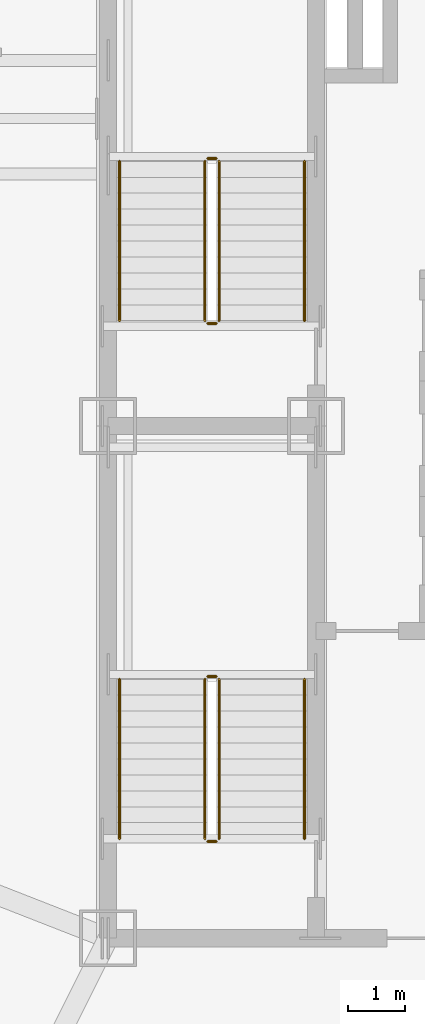
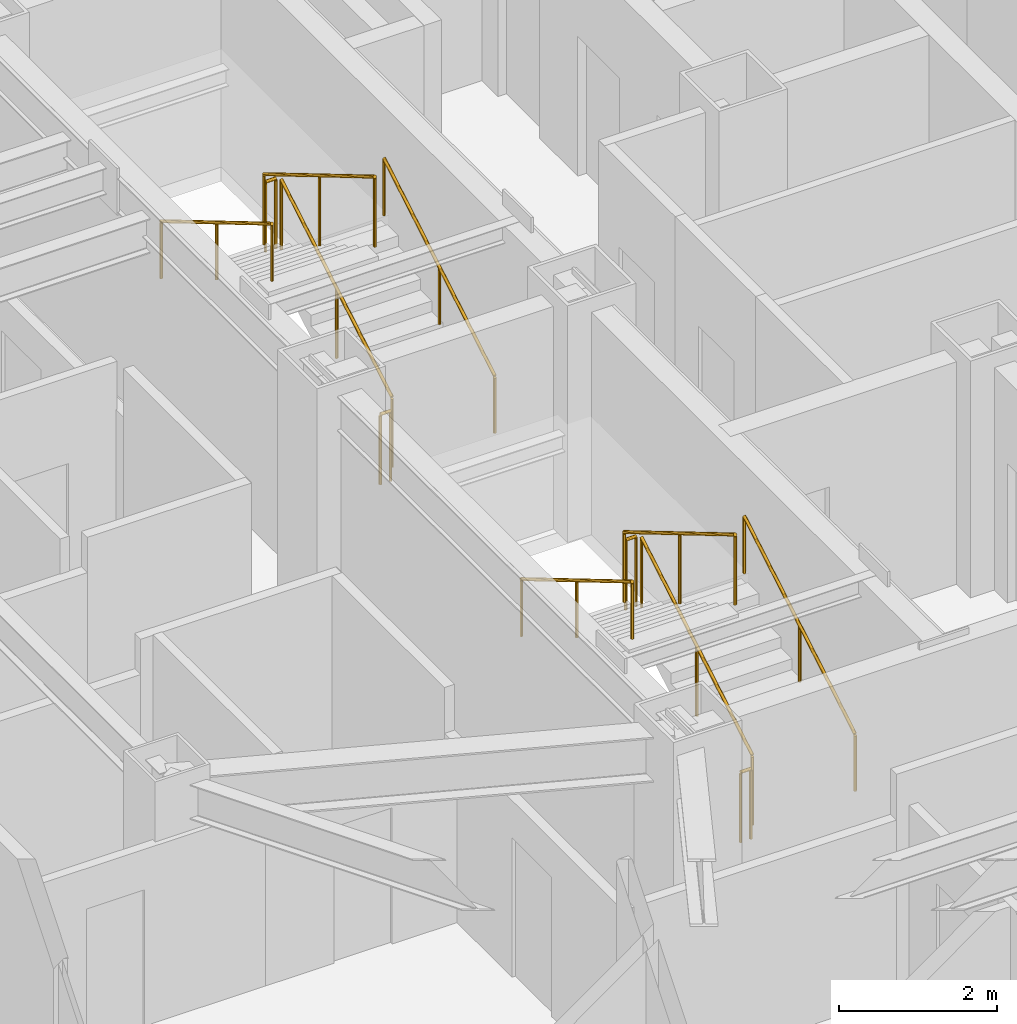
# One storey, part 9 of 9: 12 railings.
"""IFC4 building model written with IfcOpenShell, lengths in metres."""

import ifcopenshell
import ifcopenshell.guid

model = None  # the IFC model being written
_history = None  # IfcOwnerHistory: only IFC2X3 demands one
_inside = {}  # id of a spatial element -> (the spatial element, [elements in it])
_under = {}  # id of a project, library or spatial element -> (it, [spatial elements below it])
_declared = {}  # id of a project -> (the project, [libraries it declares])
_typed = {}  # id of a type object -> (the type object, [elements of that type])
_made_of = {}  # id of a material, layer set ... -> (it, [elements and type objects made of it])


def new_model(schema):
    """Start an empty IFC model of exactly this schema.

    Asked for "IFC4X3", IfcOpenShell would pick the latest addendum, in which some entities
    have other attributes; the version numbers below select the first issue.
    IFC2X3 requires an IfcOwnerHistory on every rooted entity: one is made here for all.
    """
    global model, _history
    if schema == "IFC4X3":
        model = ifcopenshell.file(schema_version=(4, 3, 0, 0))
    else:
        model = ifcopenshell.file(schema=schema)
    _inside.clear()
    _under.clear()
    _declared.clear()
    _typed.clear()
    _made_of.clear()
    _history = None
    if model.schema == "IFC2X3":
        org = make("IfcOrganization", Name="unknown")
        user = make(
            "IfcPersonAndOrganization",
            ThePerson=make("IfcPerson", FamilyName="unknown"),
            TheOrganization=org,
        )
        app = make(
            "IfcApplication",
            ApplicationDeveloper=org,
            Version="unknown",
            ApplicationFullName="unknown",
            ApplicationIdentifier="unknown",
        )
        _history = make(
            "IfcOwnerHistory",
            OwningUser=user,
            OwningApplication=app,
            ChangeAction="ADDED",
            CreationDate=0,
        )
    return model


def make(cls, **values):
    """One entity of the class cls with the attributes given. An attribute that is None is left unset."""
    return model.create_entity(
        cls, **{name: value for name, value in values.items() if value is not None}
    )


def rooted(cls, **values):
    """An entity with a GlobalId (a new one), such as an element, a storey or a relation."""
    return make(cls, GlobalId=ifcopenshell.guid.new(), OwnerHistory=_history, **values)


def si_unit(unit_type, name, prefix=None):
    """IfcSIUnit, for example si_unit("LENGTHUNIT", "METRE", prefix="MILLI")."""
    return make("IfcSIUnit", UnitType=unit_type, Prefix=prefix, Name=name)


def assignment(units):
    """IfcUnitAssignment: the units of a project."""
    return None if units is None else make("IfcUnitAssignment", Units=units)


def point(xyz):
    """IfcCartesianPoint."""
    return None if xyz is None else make("IfcCartesianPoint", Coordinates=xyz)


def direction(xyz):
    """IfcDirection."""
    return None if xyz is None else make("IfcDirection", DirectionRatios=xyz)


def frame(location, z_axis=None, x_axis=None):
    """IfcAxis2Placement3D, a coordinate frame: its origin and axes. An axis left out is left unset."""
    return make(
        "IfcAxis2Placement3D",
        Location=point(location),
        Axis=direction(z_axis),
        RefDirection=direction(x_axis),
    )


def frame_2d(location, x_axis=None):
    """IfcAxis2Placement2D, a coordinate frame in the plane: its origin and x axis."""
    return make(
        "IfcAxis2Placement2D", Location=point(location), RefDirection=direction(x_axis)
    )


def origin():
    """The frame at (0, 0, 0) with its axes left unset."""
    return frame((0.0, 0.0, 0.0))


def origin_2d():
    """The frame at (0, 0) in the plane with its x axis left unset."""
    return frame_2d((0.0, 0.0))


def place(relative_to, where):
    """IfcLocalPlacement: puts the frame where relative to a parent placement (None: the world)."""
    return make(
        "IfcLocalPlacement", PlacementRelTo=relative_to, RelativePlacement=where
    )


def context(
    kind, dimensions, precision=None, world=None, true_north=None, identifier=None
):
    """IfcGeometricRepresentationContext, for example the 3D "Model" context."""
    return make(
        "IfcGeometricRepresentationContext",
        ContextIdentifier=identifier,
        ContextType=kind,
        CoordinateSpaceDimension=dimensions,
        Precision=precision,
        WorldCoordinateSystem=world,
        TrueNorth=true_north,
    )


def subcontext(parent, identifier, kind, view, scale=None):
    """IfcGeometricRepresentationSubContext, for example "Body" below "Model"."""
    return make(
        "IfcGeometricRepresentationSubContext",
        ContextIdentifier=identifier,
        ContextType=kind,
        ParentContext=parent,
        TargetScale=scale,
        TargetView=view,
    )


def project(units=None, contexts=None):
    """IfcProject with its units and contexts."""
    return rooted(
        "IfcProject",
        Name="project",
        RepresentationContexts=contexts,
        UnitsInContext=assignment(units),
    )


def spatial(cls, under=None, at=None, **own):
    """A site, building, storey or space (cls), placed at a placement, below another one or the project."""
    s = rooted(cls, ObjectPlacement=at, **own)
    if under is not None:
        _under.setdefault(under.id(), (under, []))[1].append(s)
    return s


def profile(cls, at=None, kind="AREA", **sizes):
    """A parametric profile (cls). Its sizes go by their IFC names, for example OverallWidth=200.0."""
    return make(cls, ProfileType=kind, Position=at, **sizes)


def circle(**sizes):
    """IfcCircleProfileDef."""
    return profile("IfcCircleProfileDef", **sizes)


def extrude(swept, where, along, depth):
    """IfcExtrudedAreaSolid: the profile swept, set in the frame where, extruded along a direction by depth."""
    return make(
        "IfcExtrudedAreaSolid",
        SweptArea=swept,
        Position=where,
        ExtrudedDirection=direction(along),
        Depth=depth,
    )


def shape(context_of_items, identifier, shape_type, items):
    """IfcShapeRepresentation: the items that make up one representation, for example the "Body"."""
    return make(
        "IfcShapeRepresentation",
        ContextOfItems=context_of_items,
        RepresentationIdentifier=identifier,
        RepresentationType=shape_type,
        Items=items,
    )


def material(Name=None, Category=None):
    """IfcMaterial."""
    return make("IfcMaterial", Name=Name, Category=Category)


def made_of(thing, what):
    """Note that an element or type object is made of a material, layer set ...; save() writes the relation."""
    if what is not None:
        _made_of.setdefault(what.id(), (what, []))[1].append(thing)
    return thing


def type_object(cls, material=None, **own):
    """A type object (cls), such as IfcWallType, which elements share."""
    return made_of(rooted(cls, **own), material)


def element(
    cls,
    number,
    at=None,
    inside=None,
    cuts=None,
    type_object=None,
    material=None,
    context=None,
    identifier="Body",
    shape_type=None,
    held_by="IfcProductDefinitionShape",
    body=None,
    shapes=None,
    **own,
):
    """One element of the class cls, such as IfcWall. Its Tag is "e" and its number.

    at: its placement. inside: the storey or other place that contains it. cuts: it is an
    opening in that element (IfcRelVoidsElement). A single representation is given by context,
    identifier, shape_type and body (its items); several are given by shapes. held_by: the class
    of the entity that holds the representations. save() writes the other relations.
    """
    e = rooted(cls, Tag="e%d" % number, ObjectPlacement=at, **own)
    if body is not None:
        shapes = [shape(context, identifier, shape_type, body)]
    if shapes is not None:
        e.Representation = make(held_by, Representations=shapes)
    if inside is not None:
        _inside.setdefault(inside.id(), (inside, []))[1].append(e)
    if cuts is not None:
        rooted(
            "IfcRelVoidsElement", RelatingBuildingElement=cuts, RelatedOpeningElement=e
        )
    if type_object is not None:
        _typed.setdefault(type_object.id(), (type_object, []))[1].append(e)
    return made_of(e, material)


def aggregate(whole, parts):
    """IfcRelAggregates: a whole, such as a stair, and the parts it consists of."""
    return rooted("IfcRelAggregates", RelatingObject=whole, RelatedObjects=parts)


def save(model, path):
    """Write the relations noted so far, then the file.

    IfcRelAggregates (storeys below a building ...), IfcRelContainedInSpatialStructure (elements
    in a storey), IfcRelDefinesByType, IfcRelAssociatesMaterial and IfcRelDeclares: one each for
    every whole, place, type object, material and project.
    """
    for whole, parts in _under.values():
        aggregate(whole, parts)
    for where, things in _inside.values():
        rooted(
            "IfcRelContainedInSpatialStructure",
            RelatedElements=things,
            RelatingStructure=where,
        )
    for kind, things in _typed.values():
        rooted("IfcRelDefinesByType", RelatedObjects=things, RelatingType=kind)
    for what, things in _made_of.values():
        rooted("IfcRelAssociatesMaterial", RelatedObjects=things, RelatingMaterial=what)
    for by, libraries in _declared.values():
        rooted("IfcRelDeclares", RelatingContext=by, RelatedDefinitions=libraries)
    model.write(path)


model = new_model("IFC4")

# Units and contexts
model_context = context("Model", 3, precision=1e-05, world=origin(), true_north=direction((0.0, 1.0)))
body_context = subcontext(model_context, "Body", "Model", "MODEL_VIEW")
ifc_project = project(units=[si_unit("LENGTHUNIT", "METRE"), si_unit("AREAUNIT", "SQUARE_METRE"), si_unit("VOLUMEUNIT", "CUBIC_METRE"), si_unit("PLANEANGLEUNIT", "RADIAN"), si_unit("MASSUNIT", "GRAM", prefix="KILO")], contexts=[model_context])

# Site, building, storey
site_placement = place(None, origin())
site = spatial("IfcSite", under=ifc_project, at=site_placement, CompositionType="ELEMENT")
building_placement = place(site_placement, origin())
building = spatial("IfcBuilding", under=site, at=building_placement, Name="Khamvora Tower", CompositionType="ELEMENT")
storey_placement = place(building_placement, frame((0.0, 0.0, 235.449951171875)))
storey = spatial("IfcBuildingStorey", under=building, at=storey_placement, Name="L60", CompositionType="ELEMENT", Elevation=235.449951171875)

# Railings
ifc_material_1 = material(Name="Brushed Stainless Steel 316", Category="steel")
railing_type_1 = type_object("IfcRailingType", Name="RAL-HDR-920", PredefinedType="HANDRAIL", material=ifc_material_1)
railing_1_placement = place(storey_placement, frame((32.449951171875, 20.75, 0.166015625)))
element("IfcRailing", 1, at=railing_1_placement, inside=storey, type_object=railing_type_1, Name="L60 ST-01 stair handrail 1", PredefinedType="HANDRAIL", context=body_context, shape_type="SweptSolid", body=[
    extrude(circle(Radius=0.02392578125, at=origin_2d()), frame((0.0, 0.0, 0.8759765625), z_axis=(0.0, 0.860339051648, 0.50972219513), x_axis=(-1.0, 0.0, 0.0)), (0.0, 0.0, 1.0), 3.254638671875),
    extrude(circle(Radius=0.02099609375, at=origin_2d()), origin(), (0.0, 0.0, 1.0), 0.851806640625),
    extrude(circle(Radius=0.02099609375, at=origin_2d()), frame((0.0, 1.39990234375, 0.82958984375)), (0.0, 0.0, 1.0), 0.851806640625),
    extrude(circle(Radius=0.02099609375, at=origin_2d()), frame((0.0, 2.800048828125, 1.658935546875)), (0.0, 0.0, 1.0), 0.851806640625),
])
railing_2_placement = place(storey_placement, frame((29.199951171875, 23.550048828125, 1.990966796875)))
element("IfcRailing", 2, at=railing_2_placement, inside=storey, type_object=railing_type_1, Name="L60 ST-01 stair handrail 2", PredefinedType="HANDRAIL", context=body_context, shape_type="SweptSolid", body=[
    extrude(circle(Radius=0.02392578125, at=origin_2d()), frame((0.0, 0.0, 0.8759765625), z_axis=(0.0, -0.860306154799, 0.50977771628), x_axis=(1.0, 0.0, 0.0)), (0.0, 0.0, 1.0), 3.254638671875),
    extrude(circle(Radius=0.02099609375, at=origin_2d()), origin(), (0.0, 0.0, 1.0), 0.851806640625),
    extrude(circle(Radius=0.02099609375, at=origin_2d()), frame((0.0, -1.39990234375, 0.82958984375)), (0.0, 0.0, 1.0), 0.851806640625),
    extrude(circle(Radius=0.02099609375, at=origin_2d()), frame((0.0, -2.800048828125, 1.6591796875)), (0.0, 0.0, 1.0), 0.851806640625),
])
railing_3_placement = place(storey_placement, frame((32.449951171875, 29.85009765625, 0.166015625)))
element("IfcRailing", 3, at=railing_3_placement, inside=storey, type_object=railing_type_1, Name="L60 ST-02 stair handrail 1", PredefinedType="HANDRAIL", context=body_context, shape_type="SweptSolid", body=[
    extrude(circle(Radius=0.02392578125, at=origin_2d()), frame((0.0, 0.0, 0.8759765625), z_axis=(0.0, 0.860319559791, 0.509755093197), x_axis=(-1.0, 0.0, 0.0)), (0.0, 0.0, 1.0), 3.25439453125),
    extrude(circle(Radius=0.02099609375, at=origin_2d()), origin(), (0.0, 0.0, 1.0), 0.851806640625),
    extrude(circle(Radius=0.02099609375, at=origin_2d()), frame((0.0, 1.39990234375, 0.82958984375)), (0.0, 0.0, 1.0), 0.851806640625),
    extrude(circle(Radius=0.02099609375, at=origin_2d()), frame((0.0, 2.7998046875, 1.658935546875)), (0.0, 0.0, 1.0), 0.851806640625),
])
railing_4_placement = place(storey_placement, frame((29.199951171875, 32.64990234375, 1.990966796875)))
element("IfcRailing", 4, at=railing_4_placement, inside=storey, type_object=railing_type_1, Name="L60 ST-02 stair handrail 2", PredefinedType="HANDRAIL", context=body_context, shape_type="SweptSolid", body=[
    extrude(circle(Radius=0.02392578125, at=origin_2d()), frame((0.0, 0.0, 0.8759765625), z_axis=(0.0, -0.860286659441, 0.509810615413), x_axis=(1.0, 0.0, 0.0)), (0.0, 0.0, 1.0), 3.25439453125),
    extrude(circle(Radius=0.02099609375, at=origin_2d()), origin(), (0.0, 0.0, 1.0), 0.851806640625),
    extrude(circle(Radius=0.02099609375, at=origin_2d()), frame((0.0, -1.39990234375, 0.82958984375)), (0.0, 0.0, 1.0), 0.851806640625),
    extrude(circle(Radius=0.02099609375, at=origin_2d()), frame((0.0, -2.7998046875, 1.6591796875)), (0.0, 0.0, 1.0), 0.851806640625),
])
ifc_material_2 = material(Name="Stainless Steel 316", Category="steel")
railing_type_2 = type_object("IfcRailingType", Name="RAL-STG-1100", PredefinedType="GUARDRAIL", material=ifc_material_2)
railing_5_placement = place(storey_placement, frame((30.949951171875, 20.75, 0.166015625)))
element("IfcRailing", 5, at=railing_5_placement, inside=storey, type_object=railing_type_2, Name="L60 ST-01 stair guard 1", PredefinedType="GUARDRAIL", context=body_context, shape_type="SweptSolid", body=[
    extrude(circle(Radius=0.02392578125, at=origin_2d()), frame((0.0, 0.0, 1.076171875), z_axis=(0.0, 0.860339051648, 0.50972219513), x_axis=(-1.0, 0.0, 0.0)), (0.0, 0.0, 1.0), 3.254638671875),
    extrude(circle(Radius=0.02099609375, at=origin_2d()), origin(), (0.0, 0.0, 1.0), 1.052001953125),
    extrude(circle(Radius=0.02099609375, at=origin_2d()), frame((0.0, 1.39990234375, 0.82958984375)), (0.0, 0.0, 1.0), 1.052001953125),
    extrude(circle(Radius=0.02099609375, at=origin_2d()), frame((0.0, 2.800048828125, 1.658935546875)), (0.0, 0.0, 1.0), 1.052001953125),
])
railing_6_placement = place(storey_placement, frame((30.89990234375, 23.60009765625, 1.824951171875)))
element("IfcRailing", 6, at=railing_6_placement, inside=storey, type_object=railing_type_2, Name="L60 ST-01 stair guard 2", PredefinedType="GUARDRAIL", context=body_context, shape_type="SweptSolid", body=[
    extrude(circle(Radius=0.02392578125, at=origin_2d()), frame((0.0, 0.0, 1.076171875), z_axis=(-1.0, 0.0, 0.0), x_axis=(0.0, -1.0, 0.0)), (0.0, 0.0, 1.0), 0.14990234375),
    extrude(circle(Radius=0.02099609375, at=origin_2d()), origin(), (0.0, 0.0, 1.0), 1.052001953125),
    extrude(circle(Radius=0.02099609375, at=origin_2d()), frame((-0.14990234375, 0.0, 0.0)), (0.0, 0.0, 1.0), 1.052001953125),
])
railing_7_placement = place(storey_placement, frame((30.699951171875, 23.550048828125, 1.990966796875)))
element("IfcRailing", 7, at=railing_7_placement, inside=storey, type_object=railing_type_2, Name="L60 ST-01 stair guard 3", PredefinedType="GUARDRAIL", context=body_context, shape_type="SweptSolid", body=[
    extrude(circle(Radius=0.02392578125, at=origin_2d()), frame((0.0, 0.0, 1.076171875), z_axis=(0.0, -0.860306154799, 0.50977771628), x_axis=(1.0, 0.0, 0.0)), (0.0, 0.0, 1.0), 3.254638671875),
    extrude(circle(Radius=0.02099609375, at=origin_2d()), origin(), (0.0, 0.0, 1.0), 1.052001953125),
    extrude(circle(Radius=0.02099609375, at=origin_2d()), frame((0.0, -1.39990234375, 0.82958984375)), (0.0, 0.0, 1.0), 1.052001953125),
    extrude(circle(Radius=0.02099609375, at=origin_2d()), frame((0.0, -2.800048828125, 1.6591796875)), (0.0, 0.0, 1.0), 1.052001953125),
])
railing_8_placement = place(storey_placement, frame((30.89990234375, 20.699951171875, 0.0)))
element("IfcRailing", 8, at=railing_8_placement, inside=storey, type_object=railing_type_2, Name="L60 ST-01 stair guard 4", PredefinedType="GUARDRAIL", context=body_context, shape_type="SweptSolid", body=[
    extrude(circle(Radius=0.02392578125, at=origin_2d()), frame((0.0, 0.0, 1.076171875), z_axis=(-1.0, 0.0, 0.0), x_axis=(0.0, -1.0, 0.0)), (0.0, 0.0, 1.0), 0.14990234375),
    extrude(circle(Radius=0.02099609375, at=origin_2d()), origin(), (0.0, 0.0, 1.0), 1.052001953125),
    extrude(circle(Radius=0.02099609375, at=origin_2d()), frame((-0.14990234375, 0.0, 0.0)), (0.0, 0.0, 1.0), 1.052001953125),
])
railing_9_placement = place(storey_placement, frame((30.949951171875, 29.85009765625, 0.166015625)))
element("IfcRailing", 9, at=railing_9_placement, inside=storey, type_object=railing_type_2, Name="L60 ST-02 stair guard 1", PredefinedType="GUARDRAIL", context=body_context, shape_type="SweptSolid", body=[
    extrude(circle(Radius=0.02392578125, at=origin_2d()), frame((0.0, 0.0, 1.076171875), z_axis=(0.0, 0.860319559791, 0.509755093197), x_axis=(-1.0, 0.0, 0.0)), (0.0, 0.0, 1.0), 3.25439453125),
    extrude(circle(Radius=0.02099609375, at=origin_2d()), origin(), (0.0, 0.0, 1.0), 1.052001953125),
    extrude(circle(Radius=0.02099609375, at=origin_2d()), frame((0.0, 1.39990234375, 0.82958984375)), (0.0, 0.0, 1.0), 1.052001953125),
    extrude(circle(Radius=0.02099609375, at=origin_2d()), frame((0.0, 2.7998046875, 1.658935546875)), (0.0, 0.0, 1.0), 1.052001953125),
])
railing_10_placement = place(storey_placement, frame((30.89990234375, 32.699951171875, 1.824951171875)))
element("IfcRailing", 10, at=railing_10_placement, inside=storey, type_object=railing_type_2, Name="L60 ST-02 stair guard 2", PredefinedType="GUARDRAIL", context=body_context, shape_type="SweptSolid", body=[
    extrude(circle(Radius=0.02392578125, at=origin_2d()), frame((0.0, 0.0, 1.076171875), z_axis=(-1.0, 0.0, 0.0), x_axis=(0.0, -1.0, 0.0)), (0.0, 0.0, 1.0), 0.14990234375),
    extrude(circle(Radius=0.02099609375, at=origin_2d()), origin(), (0.0, 0.0, 1.0), 1.052001953125),
    extrude(circle(Radius=0.02099609375, at=origin_2d()), frame((-0.14990234375, 0.0, 0.0)), (0.0, 0.0, 1.0), 1.052001953125),
])
railing_11_placement = place(storey_placement, frame((30.699951171875, 32.64990234375, 1.990966796875)))
element("IfcRailing", 11, at=railing_11_placement, inside=storey, type_object=railing_type_2, Name="L60 ST-02 stair guard 3", PredefinedType="GUARDRAIL", context=body_context, shape_type="SweptSolid", body=[
    extrude(circle(Radius=0.02392578125, at=origin_2d()), frame((0.0, 0.0, 1.076171875), z_axis=(0.0, -0.860286659441, 0.509810615413), x_axis=(1.0, 0.0, 0.0)), (0.0, 0.0, 1.0), 3.25439453125),
    extrude(circle(Radius=0.02099609375, at=origin_2d()), origin(), (0.0, 0.0, 1.0), 1.052001953125),
    extrude(circle(Radius=0.02099609375, at=origin_2d()), frame((0.0, -1.39990234375, 0.82958984375)), (0.0, 0.0, 1.0), 1.052001953125),
    extrude(circle(Radius=0.02099609375, at=origin_2d()), frame((0.0, -2.7998046875, 1.6591796875)), (0.0, 0.0, 1.0), 1.052001953125),
])
railing_12_placement = place(storey_placement, frame((30.89990234375, 29.800048828125, 0.0)))
element("IfcRailing", 12, at=railing_12_placement, inside=storey, type_object=railing_type_2, Name="L60 ST-02 stair guard 4", PredefinedType="GUARDRAIL", context=body_context, shape_type="SweptSolid", body=[
    extrude(circle(Radius=0.02392578125, at=origin_2d()), frame((0.0, 0.0, 1.076171875), z_axis=(-1.0, 0.0, 0.0), x_axis=(0.0, -1.0, 0.0)), (0.0, 0.0, 1.0), 0.14990234375),
    extrude(circle(Radius=0.02099609375, at=origin_2d()), origin(), (0.0, 0.0, 1.0), 1.052001953125),
    extrude(circle(Radius=0.02099609375, at=origin_2d()), frame((-0.14990234375, 0.0, 0.0)), (0.0, 0.0, 1.0), 1.052001953125),
])

save(model, "model.ifc")
